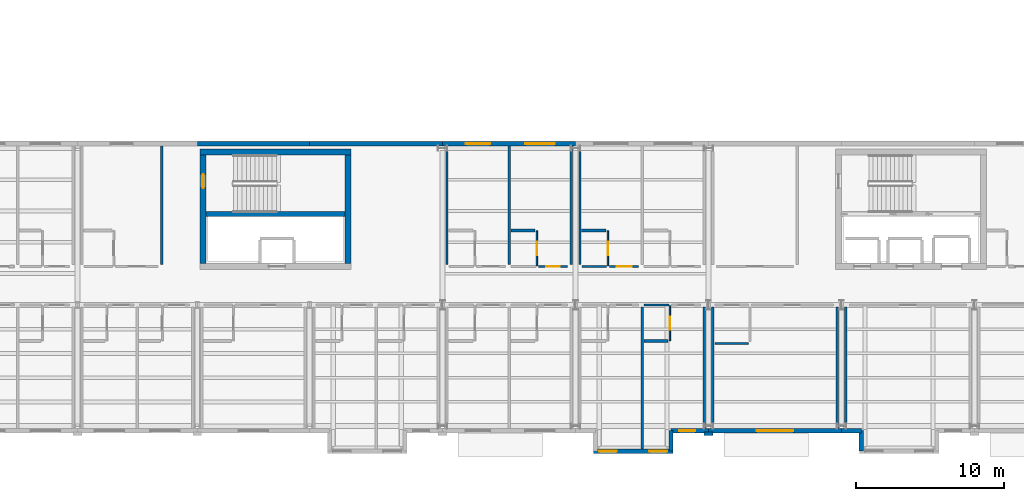
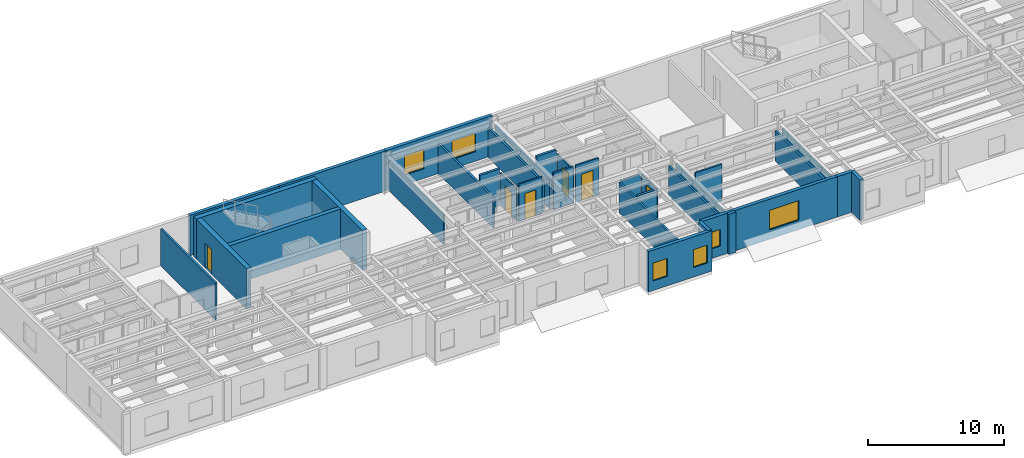
# One storey, part 17 of 34: 35 walls, 6 doors, 6 windows, 12 openings.
"""IFC4 building model written with IfcOpenShell, lengths in metres."""

from ifc_helpers import new_model, si_unit, direction, frame, frame_2d, origin, place, context, subcontext, project, spatial, rectangle, extrude, material, layer, layer_set, type_object, element, fill, save


model = new_model("IFC4")

# Units and contexts
model_context = context("Model", 3, precision=1e-05, world=origin(), true_north=direction((0.0, 1.0)))
body_context = subcontext(model_context, "Body", "Model", "MODEL_VIEW")
ifc_project = project(units=[si_unit("LENGTHUNIT", "METRE"), si_unit("AREAUNIT", "SQUARE_METRE"), si_unit("VOLUMEUNIT", "CUBIC_METRE"), si_unit("PLANEANGLEUNIT", "RADIAN"), si_unit("MASSUNIT", "GRAM", prefix="KILO")], contexts=[model_context])

# Site, building, storey
site_placement = place(None, origin())
site = spatial("IfcSite", under=ifc_project, at=site_placement, CompositionType="ELEMENT")
building_placement = place(site_placement, origin())
building = spatial("IfcBuilding", under=site, at=building_placement, Name="Sollismere Congress Hotel", CompositionType="ELEMENT")
storey_placement = place(building_placement, frame((0.0, 0.0, 23.39990234375)))
storey = spatial("IfcBuildingStorey", under=building, at=storey_placement, Name="L05", CompositionType="ELEMENT", Elevation=23.39990234375)

# Wall, opening, window
ifc_material_1 = material(Name="Colorado Buff Sandstone Rainscreen on Insulated Backup", Category="masonry")
ifc_layer_1 = layer(ifc_material_1, 0.284912109375, Name="Colorado Buff Sandstone Rainscreen on Insulated Backup")
ifc_layer_set_1 = layer_set([ifc_layer_1], Name="Colorado Buff Sandstone Rainscreen on Insulated Backup")
wall_type_1 = type_object("IfcWallType", Name="WL-EXT285", PredefinedType="STANDARD", material=ifc_layer_set_1)
wall_1_placement = place(storey_placement, frame((82.4599609375, -0.31005859375, 0.0), z_axis=(0.0, 0.0, 1.0), x_axis=(1.0, 0.0, 0.0)))
wall_1 = element("IfcWall", 1, at=wall_1_placement, inside=storey, type_object=wall_type_1, Name="Exterior wall EW-L05-579", PredefinedType="STANDARD", context=body_context, shape_type="SweptSolid", body=[
    extrude(rectangle(XDim=2.5400390625, YDim=0.284912109375, at=frame_2d((1.27001953125, 0.0))), origin(), (0.0, 0.0, 1.0), 3.60009765625),
])
opening_1_placement = place(wall_1_placement, frame((0.544921875, 0.0, 0.85009765625)))
opening_1 = element("IfcOpeningElement", 2, at=opening_1_placement, cuts=wall_1, Name="Opening W-L05-435", PredefinedType="OPENING", context=body_context, shape_type="SweptSolid", body=[
    extrude(rectangle(XDim=1.10009765625, YDim=1.5, at=frame_2d((0.550048828125, 0.75))), frame((0.0, 0.15234375, 0.0), z_axis=(0.0, -1.0, 0.0), x_axis=(1.0, 0.0, 0.0)), (0.0, 0.0, 1.0), 0.304931640625),
])
ifc_material_2 = material(Name="Thermally Broken Bronze Aluminum & Low-E Glass", Category="aluminium")
window_type_1 = type_object("IfcWindowType", Name="WN-P110x150", PartitioningType="SINGLE_PANEL", PredefinedType="WINDOW", material=ifc_material_2)
window_1_placement = place(opening_1_placement, origin())
window_1 = element("IfcWindow", 3, at=window_1_placement, inside=storey, type_object=window_type_1, Name="WIN-W-L05-435", OverallHeight=1.5, OverallWidth=1.10009765625, PartitioningType="SINGLE_PANEL", PredefinedType="WINDOW", context=body_context, shape_type="SweptSolid", body=[
    extrude(rectangle(XDim=1.10009765625, YDim=1.5, at=frame_2d((0.550048828125, 0.75))), frame((0.0, 0.030029296875, 0.0), z_axis=(0.0, -1.0, 0.0), x_axis=(1.0, 0.0, 0.0)), (0.0, 0.0, 1.0), 0.06005859375),
])
fill(opening_1, window_1)

# Wall, openings, windows
wall_2_placement = place(storey_placement, frame((77.199951171875, -1.699951171875, 0.0), z_axis=(0.0, 0.0, 1.0), x_axis=(1.0, 0.0, 0.0)))
wall_2 = element("IfcWall", 4, at=wall_2_placement, inside=storey, type_object=wall_type_1, Name="Exterior wall EW-L05-580", PredefinedType="STANDARD", context=body_context, shape_type="SweptSolid", body=[
    extrude(rectangle(XDim=5.400146484375, YDim=0.284912109375, at=frame_2d((2.7001953125, 0.0))), origin(), (0.0, 0.0, 1.0), 3.60009765625),
])
opening_2_placement = place(wall_2_placement, frame((0.39990234375, 0.0, 0.85009765625)))
opening_2 = element("IfcOpeningElement", 5, at=opening_2_placement, cuts=wall_2, Name="Opening W-L05-436", PredefinedType="OPENING", context=body_context, shape_type="SweptSolid", body=[
    extrude(rectangle(XDim=1.199951171875, YDim=1.60009765625, at=frame_2d((0.60009765625, 0.800048828125))), frame((0.0, 0.15234375, 0.0), z_axis=(0.0, -1.0, 0.0), x_axis=(1.0, 0.0, 0.0)), (0.0, 0.0, 1.0), 0.304931640625),
])
opening_3_placement = place(wall_2_placement, frame((3.800048828125, 0.0, 0.85009765625)))
opening_3 = element("IfcOpeningElement", 6, at=opening_3_placement, cuts=wall_2, Name="Opening W-L05-437", PredefinedType="OPENING", context=body_context, shape_type="SweptSolid", body=[
    extrude(rectangle(XDim=1.199951171875, YDim=1.60009765625, at=frame_2d((0.60009765625, 0.800048828125))), frame((0.0, 0.15234375, 0.0), z_axis=(0.0, -1.0, 0.0), x_axis=(1.0, 0.0, 0.0)), (0.0, 0.0, 1.0), 0.304931640625),
])
window_type_2 = type_object("IfcWindowType", Name="WN-P120x160", PartitioningType="SINGLE_PANEL", PredefinedType="WINDOW", material=ifc_material_2)
window_2_placement = place(opening_2_placement, origin())
window_2 = element("IfcWindow", 7, at=window_2_placement, inside=storey, type_object=window_type_2, Name="WIN-W-L05-436", OverallHeight=1.60009765625, OverallWidth=1.199951171875, PartitioningType="SINGLE_PANEL", PredefinedType="WINDOW", context=body_context, shape_type="SweptSolid", body=[
    extrude(rectangle(XDim=1.199951171875, YDim=1.60009765625, at=frame_2d((0.60009765625, 0.800048828125))), frame((0.0, 0.030029296875, 0.0), z_axis=(0.0, -1.0, 0.0), x_axis=(1.0, 0.0, 0.0)), (0.0, 0.0, 1.0), 0.06005859375),
])
fill(opening_2, window_2)
window_3_placement = place(opening_3_placement, origin())
window_3 = element("IfcWindow", 8, at=window_3_placement, inside=storey, type_object=window_type_2, Name="WIN-W-L05-437", OverallHeight=1.60009765625, OverallWidth=1.199951171875, PartitioningType="SINGLE_PANEL", PredefinedType="WINDOW", context=body_context, shape_type="SweptSolid", body=[
    extrude(rectangle(XDim=1.199951171875, YDim=1.60009765625, at=frame_2d((0.60009765625, 0.800048828125))), frame((0.0, 0.030029296875, 0.0), z_axis=(0.0, -1.0, 0.0), x_axis=(1.0, 0.0, 0.0)), (0.0, 0.0, 1.0), 0.06005859375),
])
fill(opening_3, window_3)

# Wall
wall_3_placement = place(storey_placement, frame((82.4599609375, -1.699951171875, 0.0), z_axis=(0.0, 0.0, 1.0), x_axis=(0.0, 1.0, 0.0)))
element("IfcWall", 9, at=wall_3_placement, inside=storey, type_object=wall_type_1, Name="Exterior wall EW-L05-582", PredefinedType="STANDARD", context=body_context, shape_type="SweptSolid", body=[
    extrude(rectangle(XDim=1.389892578125, YDim=0.284912109375, at=frame_2d((0.69482421875, 0.0))), origin(), (0.0, 0.0, 1.0), 3.60009765625),
])

# Wall, opening, window
wall_4_placement = place(storey_placement, frame((85.0, -0.31005859375, 0.0), z_axis=(0.0, 0.0, 1.0), x_axis=(1.0, 0.0, 0.0)))
wall_4 = element("IfcWall", 10, at=wall_4_placement, inside=storey, type_object=wall_type_1, Name="Exterior wall EW-L05-583", PredefinedType="STANDARD", context=body_context, shape_type="SweptSolid", body=[
    extrude(rectangle(XDim=9.0, YDim=0.284912109375, at=frame_2d((4.5, 0.0))), origin(), (0.0, 0.0, 1.0), 3.60009765625),
])
opening_4_placement = place(wall_4_placement, frame((3.25, 0.0, 0.85009765625)))
opening_4 = element("IfcOpeningElement", 11, at=opening_4_placement, cuts=wall_4, Name="Opening W-L05-438", PredefinedType="OPENING", context=body_context, shape_type="SweptSolid", body=[
    extrude(rectangle(XDim=2.5, YDim=1.75, at=frame_2d((1.25, 0.875))), frame((0.0, 0.15234375, 0.0), z_axis=(0.0, -1.0, 0.0), x_axis=(1.0, 0.0, 0.0)), (0.0, 0.0, 1.0), 0.304931640625),
])
window_type_3 = type_object("IfcWindowType", Name="WN-P250x175", PartitioningType="SINGLE_PANEL", PredefinedType="WINDOW", material=ifc_material_2)
window_4_placement = place(opening_4_placement, origin())
window_4 = element("IfcWindow", 12, at=window_4_placement, inside=storey, type_object=window_type_3, Name="WIN-W-L05-438", OverallHeight=1.75, OverallWidth=2.5, PartitioningType="SINGLE_PANEL", PredefinedType="WINDOW", context=body_context, shape_type="SweptSolid", body=[
    extrude(rectangle(XDim=2.5, YDim=1.75, at=frame_2d((1.25, 0.875))), frame((0.0, 0.030029296875, 0.0), z_axis=(0.0, -1.0, 0.0), x_axis=(1.0, 0.0, 0.0)), (0.0, 0.0, 1.0), 0.06005859375),
])
fill(opening_4, window_4)

# Walls
wall_5_placement = place(storey_placement, frame((94.0, -0.31005859375, 0.0), z_axis=(0.0, 0.0, 1.0), x_axis=(1.0, 0.0, 0.0)))
element("IfcWall", 13, at=wall_5_placement, inside=storey, type_object=wall_type_1, Name="Exterior wall EW-L05-585", PredefinedType="STANDARD", context=body_context, shape_type="SweptSolid", body=[
    extrude(rectangle(XDim=1.340087890625, YDim=0.284912109375, at=frame_2d((0.669921875, 0.0))), origin(), (0.0, 0.0, 1.0), 3.60009765625),
])
wall_6_placement = place(storey_placement, frame((95.340087890625, -0.31005859375, 0.0), z_axis=(0.0, 0.0, 1.0), x_axis=(0.0, -1.0, 0.0)))
element("IfcWall", 14, at=wall_6_placement, inside=storey, type_object=wall_type_1, Name="Exterior wall EW-L05-588", PredefinedType="STANDARD", context=body_context, shape_type="SweptSolid", body=[
    extrude(rectangle(XDim=1.389892578125, YDim=0.284912109375, at=frame_2d((0.69482421875, 0.0))), origin(), (0.0, 0.0, 1.0), 3.60009765625),
])
wall_7_placement = place(storey_placement, frame((58.0, 19.110107421875, 0.0), z_axis=(0.0, 0.0, 1.0), x_axis=(-1.0, 0.0, 0.0)))
element("IfcWall", 15, at=wall_7_placement, inside=storey, type_object=wall_type_1, Name="Exterior wall EW-L05-632", PredefinedType="STANDARD", context=body_context, shape_type="SweptSolid", body=[
    extrude(rectangle(XDim=7.60009765625, YDim=0.284912109375, at=frame_2d((3.800048828125, 0.0))), origin(), (0.0, 0.0, 1.0), 3.60009765625),
])
wall_8_placement = place(storey_placement, frame((67.0, 19.110107421875, 0.0), z_axis=(0.0, 0.0, 1.0), x_axis=(-1.0, 0.0, 0.0)))
element("IfcWall", 16, at=wall_8_placement, inside=storey, type_object=wall_type_1, Name="Exterior wall EW-L05-633", PredefinedType="STANDARD", context=body_context, shape_type="SweptSolid", body=[
    extrude(rectangle(XDim=9.0, YDim=0.284912109375, at=frame_2d((4.5, 0.0))), origin(), (0.0, 0.0, 1.0), 3.60009765625),
])

# Wall, openings, windows
wall_9_placement = place(storey_placement, frame((76.0, 19.110107421875, 0.0), z_axis=(0.0, 0.0, 1.0), x_axis=(-1.0, 0.0, 0.0)))
wall_9 = element("IfcWall", 17, at=wall_9_placement, inside=storey, type_object=wall_type_1, Name="Exterior wall EW-L05-634", PredefinedType="STANDARD", context=body_context, shape_type="SweptSolid", body=[
    extrude(rectangle(XDim=9.0, YDim=0.284912109375, at=frame_2d((4.5, 0.0))), origin(), (0.0, 0.0, 1.0), 3.60009765625),
])
opening_5_placement = place(wall_9_placement, frame((5.77490234375, 0.0, 0.85009765625)))
opening_5 = element("IfcOpeningElement", 18, at=opening_5_placement, cuts=wall_9, Name="Opening W-L05-466", PredefinedType="OPENING", context=body_context, shape_type="SweptSolid", body=[
    extrude(rectangle(XDim=1.64990234375, YDim=1.75, at=frame_2d((0.824951171875, 0.875))), frame((0.0, 0.15234375, 0.0), z_axis=(0.0, -1.0, 0.0), x_axis=(1.0, 0.0, 0.0)), (0.0, 0.0, 1.0), 0.304931640625),
])
opening_6_placement = place(wall_9_placement, frame((1.39990234375, 0.0, 0.85009765625)))
opening_6 = element("IfcOpeningElement", 19, at=opening_6_placement, cuts=wall_9, Name="Opening W-L05-467", PredefinedType="OPENING", context=body_context, shape_type="SweptSolid", body=[
    extrude(rectangle(XDim=2.0, YDim=1.64990234375, at=frame_2d((1.0, 0.824951171875))), frame((0.0, 0.15234375, 0.0), z_axis=(0.0, -1.0, 0.0), x_axis=(1.0, 0.0, 0.0)), (0.0, 0.0, 1.0), 0.304931640625),
])
window_type_4 = type_object("IfcWindowType", Name="WN-P165x175", PartitioningType="SINGLE_PANEL", PredefinedType="WINDOW", material=ifc_material_2)
window_5_placement = place(opening_5_placement, origin())
window_5 = element("IfcWindow", 20, at=window_5_placement, inside=storey, type_object=window_type_4, Name="WIN-W-L05-466", OverallHeight=1.75, OverallWidth=1.64990234375, PartitioningType="SINGLE_PANEL", PredefinedType="WINDOW", context=body_context, shape_type="SweptSolid", body=[
    extrude(rectangle(XDim=1.64990234375, YDim=1.75, at=frame_2d((0.824951171875, 0.875))), frame((0.0, 0.030029296875, 0.0), z_axis=(0.0, -1.0, 0.0), x_axis=(1.0, 0.0, 0.0)), (0.0, 0.0, 1.0), 0.06005859375),
])
fill(opening_5, window_5)
window_type_5 = type_object("IfcWindowType", Name="WN-P200x165", PartitioningType="SINGLE_PANEL", PredefinedType="WINDOW", material=ifc_material_2)
window_6_placement = place(opening_6_placement, origin())
window_6 = element("IfcWindow", 21, at=window_6_placement, inside=storey, type_object=window_type_5, Name="WIN-W-L05-467", OverallHeight=1.64990234375, OverallWidth=2.0, PartitioningType="SINGLE_PANEL", PredefinedType="WINDOW", context=body_context, shape_type="SweptSolid", body=[
    extrude(rectangle(XDim=2.0, YDim=1.64990234375, at=frame_2d((1.0, 0.824951171875))), frame((0.0, 0.030029296875, 0.0), z_axis=(0.0, -1.0, 0.0), x_axis=(1.0, 0.0, 0.0)), (0.0, 0.0, 1.0), 0.06005859375),
])
fill(opening_6, window_6)

# Walls
ifc_material_3 = material(Name="Carved Travertine Pilaster & Frieze Assembly", Category="masonry")
ifc_layer_2 = layer(ifc_material_3, 0.260009765625, Name="Carved Travertine Pilaster & Frieze Assembly")
ifc_layer_set_2 = layer_set([ifc_layer_2], Name="Carved Travertine Pilaster & Frieze Assembly")
wall_type_2 = type_object("IfcWallType", Name="WL-PIL280", PredefinedType="ELEMENTEDWALL", material=ifc_layer_set_2)
wall_10_placement = place(storey_placement, frame((84.699951171875, -0.52001953125, 0.0), z_axis=(0.0, 0.0, 1.0), x_axis=(1.0, 0.0, 0.0)))
element("IfcWall", 22, at=wall_10_placement, inside=storey, type_object=wall_type_2, Name="Exterior wall EW-L05-584", PredefinedType="ELEMENTEDWALL", context=body_context, shape_type="SweptSolid", body=[
    extrude(rectangle(XDim=0.60009765625, YDim=0.260009765625, at=frame_2d((0.300048828125, 0.0))), origin(), (0.0, 0.0, 1.0), 3.60009765625),
])
ifc_material_4 = material(Name="Moisture-Resistant Shaft Gypsum Assembly")
ifc_layer_3 = layer(ifc_material_4, 0.199951171875, Name="Moisture-Resistant Shaft Gypsum Assembly")
ifc_layer_set_3 = layer_set([ifc_layer_3], Name="Moisture-Resistant Shaft Gypsum Assembly")
wall_type_3 = type_object("IfcWallType", Name="WL-PLM200", PredefinedType="PLUMBINGWALL", material=ifc_layer_set_3)
wall_11_placement = place(storey_placement, frame((71.6201171875, 13.25, 0.0), z_axis=(0.0, 0.0, 1.0), x_axis=(1.0, 0.0, 0.0)))
element("IfcWall", 23, at=wall_11_placement, inside=storey, type_object=wall_type_3, Name="Interior wall IW-L05-1798", PredefinedType="PLUMBINGWALL", context=body_context, shape_type="SweptSolid", body=[
    extrude(rectangle(XDim=1.64990234375, YDim=0.199951171875, at=frame_2d((0.824951171875, 0.0))), origin(), (0.0, 0.0, 1.0), 3.300048828125),
])
wall_12_placement = place(storey_placement, frame((80.6201171875, 5.75, 0.0), z_axis=(0.0, 0.0, 1.0), x_axis=(1.0, 0.0, 0.0)))
element("IfcWall", 24, at=wall_12_placement, inside=storey, type_object=wall_type_3, Name="Interior wall IW-L05-1809", PredefinedType="PLUMBINGWALL", context=body_context, shape_type="SweptSolid", body=[
    extrude(rectangle(XDim=1.64990234375, YDim=0.199951171875, at=frame_2d((0.824951171875, 0.0))), origin(), (0.0, 0.0, 1.0), 2.85302734375),
])
wall_13_placement = place(storey_placement, frame((76.419921875, 13.25, 0.0), z_axis=(0.0, 0.0, 1.0), x_axis=(1.0, 0.0, 0.0)))
element("IfcWall", 25, at=wall_13_placement, inside=storey, type_object=wall_type_3, Name="Interior wall IW-L05-1815", PredefinedType="PLUMBINGWALL", context=body_context, shape_type="SweptSolid", body=[
    extrude(rectangle(XDim=1.650146484375, YDim=0.199951171875, at=frame_2d((0.8251953125, 0.0))), origin(), (0.0, 0.0, 1.0), 3.300048828125),
])

# Wall, opening, door
ifc_material_5 = material(Name="Moisture-Resistant Gypsum Partition")
ifc_layer_4 = layer(ifc_material_5, 0.10009765625, Name="Moisture-Resistant Gypsum Partition")
ifc_layer_set_4 = layer_set([ifc_layer_4], Name="Moisture-Resistant Gypsum Partition")
wall_type_4 = type_object("IfcWallType", Name="WL-PRT100", PredefinedType="PARTITIONING", material=ifc_layer_set_4)
wall_14_placement = place(storey_placement, frame((73.389892578125, 10.840087890625, 0.0), z_axis=(0.0, 0.0, 1.0), x_axis=(0.0, 1.0, 0.0)))
wall_14 = element("IfcWall", 26, at=wall_14_placement, inside=storey, type_object=wall_type_4, Name="Interior wall IW-L05-1797", PredefinedType="PARTITIONING", context=body_context, shape_type="SweptSolid", body=[
    extrude(rectangle(XDim=2.369873046875, YDim=0.10009765625, at=frame_2d((1.18505859375, 0.0))), origin(), (0.0, 0.0, 1.0), 2.908203125),
])
opening_7_placement = place(wall_14_placement, frame((0.719970703125, 0.0, 0.0)))
opening_7 = element("IfcOpeningElement", 27, at=opening_7_placement, cuts=wall_14, Name="Opening D-L05-0634", PredefinedType="OPENING", context=body_context, shape_type="SweptSolid", body=[
    extrude(rectangle(XDim=0.929931640625, YDim=2.139892578125, at=frame_2d((0.46484375, 1.06982421875))), frame((0.0, 0.06005859375, 0.0), z_axis=(0.0, -1.0, 0.0), x_axis=(1.0, 0.0, 0.0)), (0.0, 0.0, 1.0), 0.1201171875),
])
ifc_material_6 = material(Name="Moisture-Sealed Timber Bathroom Door", Category="wood")
door_type_1 = type_object("IfcDoorType", Name="DR-BT03", OperationType="NOTDEFINED", PredefinedType="DOOR", material=ifc_material_6)
door_1_placement = place(opening_7_placement, origin())
door_1 = element("IfcDoor", 28, at=door_1_placement, inside=storey, type_object=door_type_1, Name="En-suite bathroom door D-L05-0634", OperationType="SINGLE_SWING_LEFT", OverallHeight=2.139892578125, OverallWidth=0.929931640625, PredefinedType="DOOR", context=body_context, shape_type="SweptSolid", body=[
    extrude(rectangle(XDim=0.929931640625, YDim=2.139892578125, at=frame_2d((0.46484375, 1.06982421875))), frame((0.0, 0.02490234375, 0.0), z_axis=(0.0, -1.0, 0.0), x_axis=(1.0, 0.0, 0.0)), (0.0, 0.0, 1.0), 0.050048828125),
])
fill(opening_7, door_1)

wall_15_placement = place(storey_placement, frame((82.389892578125, 5.7900390625, 0.0), z_axis=(0.0, 0.0, 1.0), x_axis=(0.0, 1.0, 0.0)))
wall_15 = element("IfcWall", 29, at=wall_15_placement, inside=storey, type_object=wall_type_4, Name="Interior wall IW-L05-1808", PredefinedType="PARTITIONING", context=body_context, shape_type="SweptSolid", body=[
    extrude(rectangle(XDim=2.369873046875, YDim=0.10009765625, at=frame_2d((1.18505859375, 0.0))), origin(), (0.0, 0.0, 1.0), 2.713134765625),
])
opening_8_placement = place(wall_15_placement, frame((0.7451171875, 0.0, 0.0)))
opening_8 = element("IfcOpeningElement", 30, at=opening_8_placement, cuts=wall_15, Name="Opening D-L05-0638", PredefinedType="OPENING", context=body_context, shape_type="SweptSolid", body=[
    extrude(rectangle(XDim=0.8798828125, YDim=2.179931640625, at=frame_2d((0.43994140625, 1.08984375))), frame((0.0, 0.06005859375, 0.0), z_axis=(0.0, -1.0, 0.0), x_axis=(1.0, 0.0, 0.0)), (0.0, 0.0, 1.0), 0.1201171875),
])
door_type_2 = type_object("IfcDoorType", Name="DR-BT05", OperationType="NOTDEFINED", PredefinedType="DOOR", material=ifc_material_6)
door_2_placement = place(opening_8_placement, origin())
door_2 = element("IfcDoor", 31, at=door_2_placement, inside=storey, type_object=door_type_2, Name="En-suite bathroom door D-L05-0638", OperationType="SINGLE_SWING_LEFT", OverallHeight=2.179931640625, OverallWidth=0.8798828125, PredefinedType="DOOR", context=body_context, shape_type="SweptSolid", body=[
    extrude(rectangle(XDim=0.8798828125, YDim=2.179931640625, at=frame_2d((0.43994140625, 1.08984375))), frame((0.0, 0.02490234375, 0.0), z_axis=(0.0, -1.0, 0.0), x_axis=(1.0, 0.0, 0.0)), (0.0, 0.0, 1.0), 0.050048828125),
])
fill(opening_8, door_2)

wall_16_placement = place(storey_placement, frame((78.18994140625, 10.840087890625, 0.0), z_axis=(0.0, 0.0, 1.0), x_axis=(0.0, 1.0, 0.0)))
wall_16 = element("IfcWall", 32, at=wall_16_placement, inside=storey, type_object=wall_type_4, Name="Interior wall IW-L05-1814", PredefinedType="PARTITIONING", context=body_context, shape_type="SweptSolid", body=[
    extrude(rectangle(XDim=2.369873046875, YDim=0.10009765625, at=frame_2d((1.18505859375, 0.0))), origin(), (0.0, 0.0, 1.0), 2.908203125),
])
opening_9_placement = place(wall_16_placement, frame((0.73291015625, 0.0, 0.0)))
opening_9 = element("IfcOpeningElement", 33, at=opening_9_placement, cuts=wall_16, Name="Opening D-L05-0640", PredefinedType="OPENING", context=body_context, shape_type="SweptSolid", body=[
    extrude(rectangle(XDim=0.905029296875, YDim=2.179931640625, at=frame_2d((0.45263671875, 1.08984375))), frame((0.0, 0.06005859375, 0.0), z_axis=(0.0, -1.0, 0.0), x_axis=(1.0, 0.0, 0.0)), (0.0, 0.0, 1.0), 0.1201171875),
])
door_type_3 = type_object("IfcDoorType", Name="DR-BT06", OperationType="NOTDEFINED", PredefinedType="DOOR", material=ifc_material_6)
door_3_placement = place(opening_9_placement, origin())
door_3 = element("IfcDoor", 34, at=door_3_placement, inside=storey, type_object=door_type_3, Name="En-suite bathroom door D-L05-0640", OperationType="SINGLE_SWING_LEFT", OverallHeight=2.179931640625, OverallWidth=0.905029296875, PredefinedType="DOOR", context=body_context, shape_type="SweptSolid", body=[
    extrude(rectangle(XDim=0.905029296875, YDim=2.179931640625, at=frame_2d((0.45263671875, 1.08984375))), frame((0.0, 0.02490234375, 0.0), z_axis=(0.0, -1.0, 0.0), x_axis=(1.0, 0.0, 0.0)), (0.0, 0.0, 1.0), 0.050048828125),
])
fill(opening_9, door_3)

ifc_material_7 = material(Name="Fire-Rated Gypsum Partition")
ifc_layer_5 = layer(ifc_material_7, 0.139892578125, Name="Fire-Rated Gypsum Partition")
ifc_layer_set_5 = layer_set([ifc_layer_5], Name="Fire-Rated Gypsum Partition")
wall_type_5 = type_object("IfcWallType", Name="WL-PRT140R", PredefinedType="PARTITIONING", material=ifc_layer_set_5)
wall_17_placement = place(storey_placement, frame((73.510009765625, 10.800048828125, 0.0), z_axis=(0.0, 0.0, 1.0), x_axis=(1.0, 0.0, 0.0)))
wall_17 = element("IfcWall", 35, at=wall_17_placement, inside=storey, type_object=wall_type_5, Name="Interior wall IW-L05-1795", PredefinedType="PARTITIONING", context=body_context, shape_type="SweptSolid", body=[
    extrude(rectangle(XDim=1.949951171875, YDim=0.139892578125, at=frame_2d((0.97509765625, 0.0))), origin(), (0.0, 0.0, 1.0), 3.300048828125),
])
opening_10_placement = place(wall_17_placement, frame((0.514892578125, 0.0, 0.0)))
opening_10 = element("IfcOpeningElement", 36, at=opening_10_placement, cuts=wall_17, Name="Opening D-L05-0633", PredefinedType="OPENING", context=body_context, shape_type="SweptSolid", body=[
    extrude(rectangle(XDim=0.919921875, YDim=2.300048828125, at=frame_2d((0.4599609375, 1.14990234375))), frame((0.0, 0.079833984375, 0.0), z_axis=(0.0, -1.0, 0.0), x_axis=(1.0, 0.0, 0.0)), (0.0, 0.0, 1.0), 0.159912109375),
])
ifc_material_8 = material(Name="Solid-Core Acoustic Walnut Guestroom Entry Door")
door_type_4 = type_object("IfcDoorType", Name="DR-KY07", OperationType="NOTDEFINED", PredefinedType="DOOR", material=ifc_material_8)
door_4_placement = place(opening_10_placement, origin())
door_4 = element("IfcDoor", 37, at=door_4_placement, inside=storey, type_object=door_type_4, Name="Hotel room entry door D-L05-0633", OperationType="SINGLE_SWING_RIGHT", OverallHeight=2.300048828125, OverallWidth=0.919921875, PredefinedType="DOOR", context=body_context, shape_type="SweptSolid", body=[
    extrude(rectangle(XDim=0.919921875, YDim=2.300048828125, at=frame_2d((0.4599609375, 1.14990234375))), frame((0.0, 0.02490234375, 0.0), z_axis=(0.0, -1.0, 0.0), x_axis=(1.0, 0.0, 0.0)), (0.0, 0.0, 1.0), 0.050048828125),
])
fill(opening_10, door_4)

# Walls
wall_18_placement = place(storey_placement, frame((80.639892578125, 8.199951171875, 0.0), z_axis=(0.0, 0.0, 1.0), x_axis=(1.0, 0.0, 0.0)))
element("IfcWall", 38, at=wall_18_placement, inside=storey, type_object=wall_type_5, Name="Interior wall IW-L05-1805", PredefinedType="PARTITIONING", context=body_context, shape_type="SweptSolid", body=[
    extrude(rectangle(XDim=1.670166015625, YDim=0.139892578125, at=frame_2d((0.8349609375, 0.0))), origin(), (0.0, 0.0, 1.0), 2.713134765625),
])
wall_19_placement = place(storey_placement, frame((76.43994140625, 10.800048828125, 0.0), z_axis=(0.0, 0.0, 1.0), x_axis=(1.0, 0.0, 0.0)))
element("IfcWall", 39, at=wall_19_placement, inside=storey, type_object=wall_type_5, Name="Interior wall IW-L05-1810", PredefinedType="PARTITIONING", context=body_context, shape_type="SweptSolid", body=[
    extrude(rectangle(XDim=1.670166015625, YDim=0.139892578125, at=frame_2d((0.8349609375, 0.0))), origin(), (0.0, 0.0, 1.0), 3.300048828125),
])

# Wall, opening, door
wall_20_placement = place(storey_placement, frame((78.31005859375, 10.800048828125, 0.0), z_axis=(0.0, 0.0, 1.0), x_axis=(1.0, 0.0, 0.0)))
wall_20 = element("IfcWall", 40, at=wall_20_placement, inside=storey, type_object=wall_type_5, Name="Interior wall IW-L05-1811", PredefinedType="PARTITIONING", context=body_context, shape_type="SweptSolid", body=[
    extrude(rectangle(XDim=1.949951171875, YDim=0.139892578125, at=frame_2d((0.97509765625, 0.0))), origin(), (0.0, 0.0, 1.0), 3.300048828125),
])
opening_11_placement = place(wall_20_placement, frame((0.469970703125, 0.0, 0.0)))
opening_11 = element("IfcOpeningElement", 41, at=opening_11_placement, cuts=wall_20, Name="Opening D-L05-0639", PredefinedType="OPENING", context=body_context, shape_type="SweptSolid", body=[
    extrude(rectangle(XDim=1.010009765625, YDim=2.35009765625, at=frame_2d((0.5048828125, 1.175048828125))), frame((0.0, 0.079833984375, 0.0), z_axis=(0.0, -1.0, 0.0), x_axis=(1.0, 0.0, 0.0)), (0.0, 0.0, 1.0), 0.159912109375),
])
door_type_5 = type_object("IfcDoorType", Name="DR-KY10", OperationType="NOTDEFINED", PredefinedType="DOOR", material=ifc_material_8)
door_5_placement = place(opening_11_placement, origin())
door_5 = element("IfcDoor", 42, at=door_5_placement, inside=storey, type_object=door_type_5, Name="Hotel room entry door D-L05-0639", OperationType="SINGLE_SWING_RIGHT", OverallHeight=2.35009765625, OverallWidth=1.010009765625, PredefinedType="DOOR", context=body_context, shape_type="SweptSolid", body=[
    extrude(rectangle(XDim=1.010009765625, YDim=2.35009765625, at=frame_2d((0.5048828125, 1.175048828125))), frame((0.0, 0.02490234375, 0.0), z_axis=(0.0, -1.0, 0.0), x_axis=(1.0, 0.0, 0.0)), (0.0, 0.0, 1.0), 0.050048828125),
])
fill(opening_11, door_5)

# Walls
wall_21_placement = place(storey_placement, frame((85.43994140625, 5.60009765625, 0.0), z_axis=(0.0, 0.0, 1.0), x_axis=(1.0, 0.0, 0.0)))
element("IfcWall", 43, at=wall_21_placement, inside=storey, type_object=wall_type_5, Name="Interior wall IW-L05-1948", PredefinedType="PARTITIONING", context=body_context, shape_type="SweptSolid", body=[
    extrude(rectangle(XDim=2.260009765625, YDim=0.139892578125, at=frame_2d((1.1298828125, 0.0))), origin(), (0.0, 0.0, 1.0), 3.300048828125),
])
ifc_material_9 = material(Name="Fire-Rated Acoustic Gypsum Partition")
ifc_layer_6 = layer(ifc_material_9, 0.1650390625, Name="Fire-Rated Acoustic Gypsum Partition")
ifc_layer_set_6 = layer_set([ifc_layer_6], Name="Fire-Rated Acoustic Gypsum Partition")
wall_type_6 = type_object("IfcWallType", Name="WL-PRT165R", PredefinedType="PARTITIONING", material=ifc_layer_set_6)
wall_22_placement = place(storey_placement, frame((48.0, 10.93994140625, 0.0), z_axis=(0.0, 0.0, 1.0), x_axis=(0.0, 1.0, 0.0)))
element("IfcWall", 44, at=wall_22_placement, inside=storey, type_object=wall_type_6, Name="Interior wall IW-L05-1757", PredefinedType="PARTITIONING", context=body_context, shape_type="SweptSolid", body=[
    extrude(rectangle(XDim=8.012451171875, YDim=0.1650390625, at=frame_2d((4.00634765625, 0.0))), origin(), (0.0, 0.0, 1.0), 3.300048828125),
])
wall_23_placement = place(storey_placement, frame((67.300048828125, 10.93994140625, 0.0), z_axis=(0.0, 0.0, 1.0), x_axis=(0.0, 1.0, 0.0)))
element("IfcWall", 45, at=wall_23_placement, inside=storey, type_object=wall_type_6, Name="Interior wall IW-L05-1790", PredefinedType="PARTITIONING", context=body_context, shape_type="SweptSolid", body=[
    extrude(rectangle(XDim=8.012451171875, YDim=0.1650390625, at=frame_2d((4.00634765625, 0.0))), origin(), (0.0, 0.0, 1.0), 2.629150390625),
])
wall_24_placement = place(storey_placement, frame((71.5, 10.93994140625, 0.0), z_axis=(0.0, 0.0, 1.0), x_axis=(0.0, 1.0, 0.0)))
element("IfcWall", 46, at=wall_24_placement, inside=storey, type_object=wall_type_6, Name="Interior wall IW-L05-1791", PredefinedType="PARTITIONING", context=body_context, shape_type="SweptSolid", body=[
    extrude(rectangle(XDim=8.012451171875, YDim=0.1650390625, at=frame_2d((4.00634765625, 0.0))), origin(), (0.0, 0.0, 1.0), 2.713134765625),
])
wall_25_placement = place(storey_placement, frame((75.699951171875, 10.93994140625, 0.0), z_axis=(0.0, 0.0, 1.0), x_axis=(0.0, 1.0, 0.0)))
element("IfcWall", 47, at=wall_25_placement, inside=storey, type_object=wall_type_6, Name="Interior wall IW-L05-1796", PredefinedType="PARTITIONING", context=body_context, shape_type="SweptSolid", body=[
    extrude(rectangle(XDim=8.012451171875, YDim=0.1650390625, at=frame_2d((4.00634765625, 0.0))), origin(), (0.0, 0.0, 1.0), 2.629150390625),
])
wall_26_placement = place(storey_placement, frame((80.5, -1.54248046875, 0.0), z_axis=(0.0, 0.0, 1.0), x_axis=(0.0, 1.0, 0.0)))
element("IfcWall", 48, at=wall_26_placement, inside=storey, type_object=wall_type_6, Name="Interior wall IW-L05-1802", PredefinedType="PARTITIONING", context=body_context, shape_type="SweptSolid", body=[
    extrude(rectangle(XDim=9.6025390625, YDim=0.1650390625, at=frame_2d((4.80126953125, 0.0))), origin(), (0.0, 0.0, 1.0), 2.690185546875),
])
wall_27_placement = place(storey_placement, frame((84.699951171875, -0.152587890625, 0.0), z_axis=(0.0, 0.0, 1.0), x_axis=(0.0, 1.0, 0.0)))
element("IfcWall", 49, at=wall_27_placement, inside=storey, type_object=wall_type_6, Name="Interior wall IW-L05-1807", PredefinedType="PARTITIONING", context=body_context, shape_type="SweptSolid", body=[
    extrude(rectangle(XDim=8.212646484375, YDim=0.1650390625, at=frame_2d((4.1064453125, 0.0))), origin(), (0.0, 0.0, 1.0), 2.690185546875),
])
wall_28_placement = place(storey_placement, frame((76.300048828125, 10.93994140625, 0.0), z_axis=(0.0, 0.0, 1.0), x_axis=(0.0, 1.0, 0.0)))
element("IfcWall", 50, at=wall_28_placement, inside=storey, type_object=wall_type_6, Name="Interior wall IW-L05-1812", PredefinedType="PARTITIONING", context=body_context, shape_type="SweptSolid", body=[
    extrude(rectangle(XDim=8.012451171875, YDim=0.1650390625, at=frame_2d((4.00634765625, 0.0))), origin(), (0.0, 0.0, 1.0), 2.629150390625),
])
for number, where, z_axis, x_axis, name in (
    (51, (85.300048828125, -0.152587890625, 0.0), (0.0, 0.0, 1.0), (0.0, 1.0, 0.0), "Interior wall IW-L05-1950"),
    (52, (93.699951171875, -0.152587890625, 0.0), (0.0, 0.0, 1.0), (0.0, 1.0, 0.0), "Interior wall IW-L05-1951"),
    (53, (94.300048828125, -0.152587890625, 0.0), (0.0, 0.0, 1.0), (0.0, 1.0, 0.0), "Interior wall IW-L05-1956"),
):
    element("IfcWall", number, at=place(storey_placement, frame(where, z_axis=z_axis, x_axis=x_axis)), inside=storey, type_object=wall_type_6, Name=name, PredefinedType="PARTITIONING", context=body_context, shape_type="SweptSolid", body=[
        extrude(rectangle(XDim=8.212646484375, YDim=0.1650390625, at=frame_2d((4.1064453125, 0.0))), origin(), (0.0, 0.0, 1.0), 2.690185546875),
    ])
ifc_material_10 = material(Name="Concrete C50/60", Category="concrete")
ifc_layer_7 = layer(ifc_material_10, 0.35009765625, Name="Concrete C50/60")
ifc_layer_set_7 = layer_set([ifc_layer_7], Name="Concrete C50/60")
wall_type_7 = type_object("IfcWallType", Name="WL-SHR350", PredefinedType="SHEAR", material=ifc_layer_set_7)
wall_29_placement = place(storey_placement, frame((51.0, 14.35009765625, 0.0), z_axis=(0.0, 0.0, 1.0), x_axis=(1.0, 0.0, 0.0)))
element("IfcWall", 54, at=wall_29_placement, inside=storey, type_object=wall_type_7, Name="Interior wall IW-L05-0723", PredefinedType="SHEAR", context=body_context, shape_type="SweptSolid", body=[
    extrude(rectangle(XDim=9.39990234375, YDim=0.35009765625, at=frame_2d((4.699951171875, 0.0))), origin(), (0.0, 0.0, 1.0), 3.60009765625),
])
ifc_layer_8 = layer(ifc_material_10, 0.39990234375, Name="Concrete C50/60")
ifc_layer_set_8 = layer_set([ifc_layer_8], Name="Concrete C50/60")
wall_type_8 = type_object("IfcWallType", Name="WL-SHR400", PredefinedType="SHEAR", material=ifc_layer_set_8)
wall_30_placement = place(storey_placement, frame((60.800048828125, 18.550048828125, 0.0), z_axis=(0.0, 0.0, 1.0), x_axis=(-1.0, 0.0, 0.0)))
element("IfcWall", 55, at=wall_30_placement, inside=storey, type_object=wall_type_8, Name="Interior wall IW-L05-0720", PredefinedType="SHEAR", context=body_context, shape_type="SweptSolid", body=[
    extrude(rectangle(XDim=10.199951171875, YDim=0.39990234375, at=frame_2d((5.10009765625, 0.0))), origin(), (0.0, 0.0, 1.0), 3.60009765625),
])

# Wall, opening, door
wall_31_placement = place(storey_placement, frame((50.800048828125, 18.35009765625, 0.0), z_axis=(0.0, 0.0, 1.0), x_axis=(0.0, -1.0, 0.0)))
wall_31 = element("IfcWall", 56, at=wall_31_placement, inside=storey, type_object=wall_type_8, Name="Interior wall IW-L05-0721", PredefinedType="SHEAR", context=body_context, shape_type="SweptSolid", body=[
    extrude(rectangle(XDim=7.35009765625, YDim=0.39990234375, at=frame_2d((3.675048828125, 0.0))), origin(), (0.0, 0.0, 1.0), 3.60009765625),
])
opening_12_placement = place(wall_31_placement, frame((1.300048828125, 0.0, 0.0)))
opening_12 = element("IfcOpeningElement", 57, at=opening_12_placement, cuts=wall_31, Name="Opening D-ST-06-L05", PredefinedType="OPENING", context=body_context, shape_type="SweptSolid", body=[
    extrude(rectangle(XDim=0.949951171875, YDim=2.199951171875, at=frame_2d((0.47509765625, 1.10009765625))), frame((0.0, 0.2099609375, 0.0), z_axis=(0.0, -1.0, 0.0), x_axis=(1.0, 0.0, 0.0)), (0.0, 0.0, 1.0), 0.419921875),
])
ifc_material_11 = material(Name="Fire-Rated Insulated Steel Door", Category="steel")
door_type_6 = type_object("IfcDoorType", Name="DR-FD90", OperationType="NOTDEFINED", PredefinedType="DOOR", material=ifc_material_11)
door_6_placement = place(opening_12_placement, origin())
door_6 = element("IfcDoor", 58, at=door_6_placement, inside=storey, type_object=door_type_6, Name="Exit stair fire door D-ST-06-L05", OperationType="SINGLE_SWING_RIGHT", OverallHeight=2.199951171875, OverallWidth=0.949951171875, PredefinedType="DOOR", context=body_context, shape_type="SweptSolid", body=[
    extrude(rectangle(XDim=0.949951171875, YDim=2.199951171875, at=frame_2d((0.47509765625, 1.10009765625))), frame((0.0, 0.02490234375, 0.0), z_axis=(0.0, -1.0, 0.0), x_axis=(1.0, 0.0, 0.0)), (0.0, 0.0, 1.0), 0.050048828125),
])
fill(opening_12, door_6)

# Wall
wall_32_placement = place(storey_placement, frame((60.60009765625, 11.0, 0.0), z_axis=(0.0, 0.0, 1.0), x_axis=(0.0, 1.0, 0.0)))
element("IfcWall", 59, at=wall_32_placement, inside=storey, type_object=wall_type_8, Name="Interior wall IW-L05-0722", PredefinedType="SHEAR", context=body_context, shape_type="SweptSolid", body=[
    extrude(rectangle(XDim=7.35009765625, YDim=0.39990234375, at=frame_2d((3.675048828125, 0.0))), origin(), (0.0, 0.0, 1.0), 3.60009765625),
])

save(model, "model.ifc")
